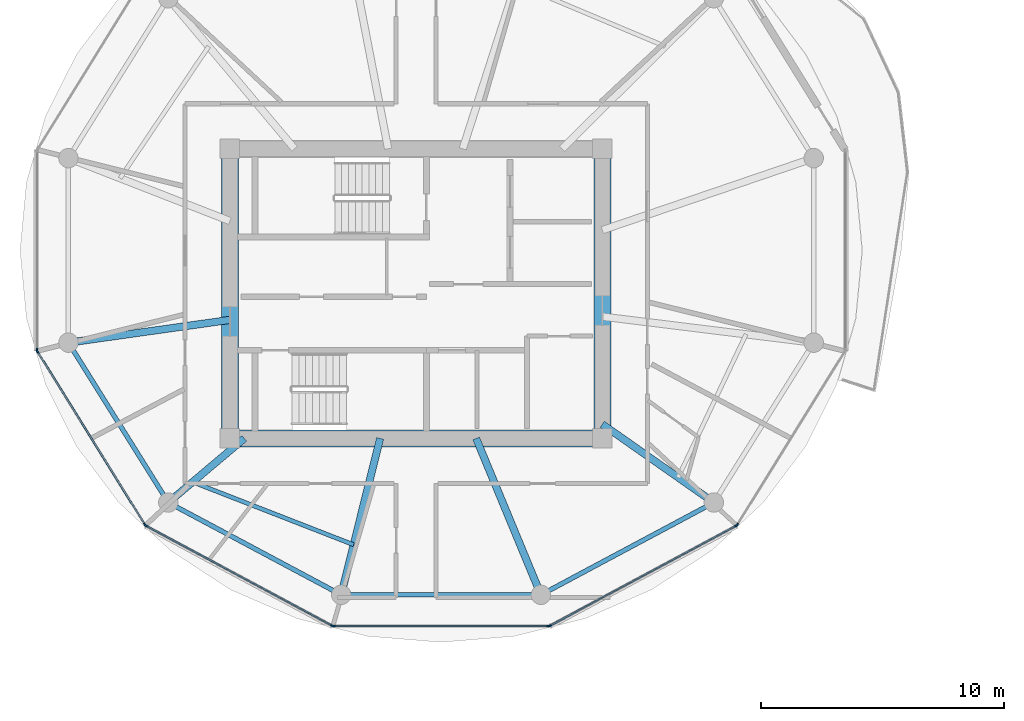
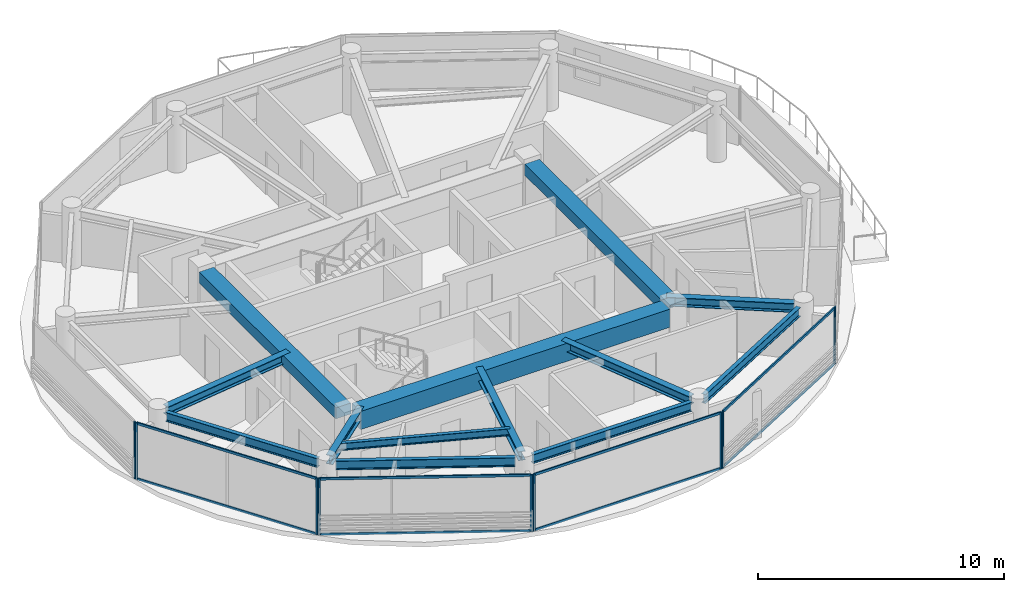
# One storey, part 2 of 21: 18 members, 13 beams, 6 elements without a shape of their own.
"""IFC4 building model written with IfcOpenShell, lengths in metres."""

from ifc_helpers import new_model, si_unit, direction, frame, origin, origin_2d, place, context, subcontext, project, spatial, rectangle, i_section, extrude, source, transform, mapped, material, layer, layer_set, material_profile, profile_set, type_object, type_shapes, element, aggregate, save


model = new_model("IFC4")

# Units and contexts
model_context = context("Model", 3, precision=1e-05, world=origin(), true_north=direction((0.0, 1.0)))
body_context = subcontext(model_context, "Body", "Model", "MODEL_VIEW")
ifc_project = project(units=[si_unit("LENGTHUNIT", "METRE"), si_unit("AREAUNIT", "SQUARE_METRE"), si_unit("VOLUMEUNIT", "CUBIC_METRE"), si_unit("PLANEANGLEUNIT", "RADIAN"), si_unit("MASSUNIT", "GRAM", prefix="KILO")], contexts=[model_context])

# Site, building, storey
site_placement = place(None, origin())
site = spatial("IfcSite", under=ifc_project, at=site_placement, CompositionType="ELEMENT")
building_placement = place(site_placement, origin())
building = spatial("IfcBuilding", under=site, at=building_placement, Name="Norrkilde Senior Care Towers", CompositionType="ELEMENT")
storey_placement = place(building_placement, frame((0.0, 0.0, 140.39990234375)))
storey = spatial("IfcBuildingStorey", under=building, at=storey_placement, Name="L43", CompositionType="ELEMENT", Elevation=140.39990234375)

# Beams
ifc_material_1 = material(Name="Concrete C60/75", Category="concrete")
ifc_material_profile_1 = material_profile(ifc_material_1, rectangle(XDim=0.699951171875, YDim=0.89990234375, at=origin_2d()), Name="RC BM 700x900")
ifc_profile_set_1 = profile_set([ifc_material_profile_1], Name="Concrete C60/75")
beam_type_1 = type_object("IfcBeamType", Name="Core Coupling Girder 700x900", PredefinedType="USERDEFINED", material=ifc_profile_set_1)
shared_shape_1 = source(origin(), body_context, "Body", "SweptSolid", [
    extrude(rectangle(XDim=0.699951171875, YDim=0.89990234375, at=origin_2d()), origin(), (0.0, 0.0, 1.0), 14.5400390625),
])
type_shapes(beam_type_1, [shared_shape_1])
beam_1_placement = place(storey_placement, frame((-35.27001953125, -5.949951171875, 2.360107421875), z_axis=(1.0, 0.0, 0.0), x_axis=(0.0, 1.0, 0.0)))
element("IfcBeam", 1, at=beam_1_placement, inside=storey, type_object=beam_type_1, Name="L43 Core W S Coupling Girder", ObjectType="GIRDER", PredefinedType="USERDEFINED", context=body_context, shape_type="MappedRepresentation", body=[
    mapped(shared_shape_1, transform((0.0, 0.0, 0.0), x_axis=(1.0, 0.0, 0.0), y_axis=(0.0, 1.0, 0.0), z_axis=(0.0, 0.0, 1.0), scale=1.0)),
])
ifc_material_profile_2 = material_profile(ifc_material_1, rectangle(XDim=0.699951171875, YDim=0.550048828125, at=origin_2d()), Name="RC BM 700x550")
ifc_profile_set_2 = profile_set([ifc_material_profile_2], Name="Concrete C60/75")
beam_type_2 = type_object("IfcBeamType", Name="Core Portal Coupling Beam 700x550", PredefinedType="USERDEFINED", material=ifc_profile_set_2)
shared_shape_2 = source(origin(), body_context, "Body", "SweptSolid", [
    extrude(rectangle(XDim=0.699951171875, YDim=0.550048828125, at=origin_2d()), origin(), (0.0, 0.0, 1.0), 11.14013671875),
])
type_shapes(beam_type_2, [shared_shape_2])
for number, where, z_axis, x_axis, name in (
    (2, (-35.64990234375, -5.570068359375, 2.53515625), (0.0, 1.0, 0.0), (-1.0, 0.0, 0.0), "L43 Core W W Coupling Girder"),
    (3, (-20.35009765625, -5.570068359375, 2.53515625), (0.0, 1.0, 0.0), (-1.0, 0.0, 0.0), "L43 Core W E Coupling Girder"),
):
    element("IfcBeam", number, at=place(storey_placement, frame(where, z_axis=z_axis, x_axis=x_axis)), inside=storey, type_object=beam_type_2, Name=name, ObjectType="GIRDER", PredefinedType="USERDEFINED", context=body_context, shape_type="MappedRepresentation", body=[
        mapped(shared_shape_2, transform((0.0, 0.0, 0.0), x_axis=(1.0, 0.0, 0.0), y_axis=(0.0, 1.0, 0.0), z_axis=(0.0, 0.0, 1.0), scale=1.0)),
    ])
ifc_material_2 = material(Name="Steel S355", Category="steel")
ifc_material_profile_3 = material_profile(ifc_material_2, i_section(OverallWidth=0.18994140625, OverallDepth=0.449951171875, WebThickness=0.009521484375, FlangeThickness=0.0146484375, FilletRadius=0.02099609375, at=origin_2d()), Name="IPE 450")
ifc_profile_set_3 = profile_set([ifc_material_profile_3], Name="Steel S355")
beam_type_3 = type_object("IfcBeamType", Name="Perimeter Ring Spandrel Z3 IPE450", PredefinedType="SPANDREL", material=ifc_profile_set_3)
shared_shape_3 = source(origin(), body_context, "Body", "SweptSolid", [
    extrude(i_section(OverallWidth=0.18994140625, OverallDepth=0.449951171875, WebThickness=0.009521484375, FlangeThickness=0.0146484375, FilletRadius=0.02099609375, at=origin_2d()), origin(), (0.0, 0.0, 1.0), 7.484619140625),
])
beam_2_placement = place(storey_placement, frame((-30.71728515625, -12.37548828125, 2.585205078125), z_axis=(1.0, 0.0, 0.0), x_axis=(0.0, 1.0, 0.0)))
element("IfcBeam", 4, at=beam_2_placement, inside=storey, type_object=beam_type_3, Name="L43 Drum W Perimeter Spandrel 09", PredefinedType="SPANDREL", context=body_context, shape_type="MappedRepresentation", body=[
    mapped(shared_shape_3, transform((0.0, 0.0, 0.0), x_axis=(1.0, 0.0, 0.0), y_axis=(0.0, 1.0, 0.0), z_axis=(0.0, 0.0, 1.0), scale=1.0)),
])
shared_shape_4 = source(origin(), body_context, "Body", "SweptSolid", [
    extrude(i_section(OverallWidth=0.18994140625, OverallDepth=0.449951171875, WebThickness=0.009521484375, FlangeThickness=0.0146484375, FilletRadius=0.02099609375, at=origin_2d()), origin(), (0.0, 0.0, 1.0), 7.023193359375),
])
beam_3_placement = place(storey_placement, frame((-42.09423828125, -2.32177734375, 2.585205078125), z_axis=(0.529805197269, -0.848119362441, 0.0), x_axis=(0.848119362441, 0.529805197269, 0.0)))
element("IfcBeam", 5, at=beam_3_placement, inside=storey, type_object=beam_type_3, Name="L43 Drum W Perimeter Spandrel 07", PredefinedType="SPANDREL", context=body_context, shape_type="MappedRepresentation", body=[
    mapped(shared_shape_4, transform((0.0, 0.0, 0.0), x_axis=(1.0, 0.0, 0.0), y_axis=(0.0, 1.0, 0.0), z_axis=(0.0, 0.0, 1.0), scale=1.0)),
])
ifc_material_profile_4 = material_profile(ifc_material_2, i_section(OverallWidth=0.300048828125, OverallDepth=0.449951171875, WebThickness=0.013916015625, FlangeThickness=0.02587890625, FilletRadius=0.027099609375, at=origin_2d()), Name="HEB 450")
ifc_profile_set_4 = profile_set([ifc_material_profile_4], Name="Steel S355")
beam_type_4 = type_object("IfcBeamType", Name="Radial Floor Beam Z3 HEB450", PredefinedType="BEAM", material=ifc_profile_set_4)
shared_shape_5 = source(origin(), body_context, "Body", "SweptSolid", [
    extrude(i_section(OverallWidth=0.300048828125, OverallDepth=0.449951171875, WebThickness=0.013916015625, FlangeThickness=0.02587890625, FilletRadius=0.027099609375, at=origin_2d()), origin(), (0.0, 0.0, 1.0), 6.3408203125),
])
beam_4_placement = place(storey_placement, frame((-35.64990234375, -1.079833984375, 2.585205078125), z_axis=(-0.990184519576, -0.139766294905, 0.0), x_axis=(0.139766294905, -0.990184519576, 0.0)))
element("IfcBeam", 6, at=beam_4_placement, inside=storey, type_object=beam_type_4, Name="L43 Drum W Radial Floor Beam 07", PredefinedType="BEAM", context=body_context, shape_type="MappedRepresentation", body=[
    mapped(shared_shape_5, transform((0.0, 0.0, 0.0), x_axis=(1.0, 0.0, 0.0), y_axis=(0.0, 1.0, 0.0), z_axis=(0.0, 0.0, 1.0), scale=1.0)),
])
shared_shape_6 = source(origin(), body_context, "Body", "SweptSolid", [
    extrude(i_section(OverallWidth=0.18994140625, OverallDepth=0.449951171875, WebThickness=0.009521484375, FlangeThickness=0.0146484375, FilletRadius=0.02099609375, at=origin_2d()), origin(), (0.0, 0.0, 1.0), 7.333984375),
])
type_shapes(beam_type_3, [shared_shape_3, shared_shape_4, shared_shape_6])
for number, where, z_axis, x_axis, name in (
    (7, (-37.864990234375, -8.753173828125, 2.585205078125), (0.882234038987, -0.470811109101, 0.0), (0.470811109101, 0.882234038987, 0.0), "L43 Drum W Perimeter Spandrel 08"),
    (8, (-22.55517578125, -12.2060546875, 2.585205078125), (0.882234038987, 0.470811109101, 0.0), (-0.470811109101, 0.882234038987, 0.0), "L43 Drum W Perimeter Spandrel 10"),
):
    element("IfcBeam", number, at=place(storey_placement, frame(where, z_axis=z_axis, x_axis=x_axis)), inside=storey, type_object=beam_type_3, Name=name, PredefinedType="SPANDREL", context=body_context, shape_type="MappedRepresentation", body=[
        mapped(shared_shape_6, transform((0.0, 0.0, 0.0), x_axis=(1.0, 0.0, 0.0), y_axis=(0.0, 1.0, 0.0), z_axis=(0.0, 0.0, 1.0), scale=1.0)),
    ])
shared_shape_7 = source(origin(), body_context, "Body", "SweptSolid", [
    extrude(i_section(OverallWidth=0.300048828125, OverallDepth=0.449951171875, WebThickness=0.013916015625, FlangeThickness=0.02587890625, FilletRadius=0.027099609375, at=origin_2d()), origin(), (0.0, 0.0, 1.0), 3.7265625),
])
beam_5_placement = place(storey_placement, frame((-35.058349609375, -5.949951171875, 2.585205078125), z_axis=(-0.764567902106, -0.644543189453, 0.0), x_axis=(0.644543189453, -0.764567902106, 0.0)))
element("IfcBeam", 9, at=beam_5_placement, inside=storey, type_object=beam_type_4, Name="L43 Drum W Radial Floor Beam 08", PredefinedType="BEAM", context=body_context, shape_type="MappedRepresentation", body=[
    mapped(shared_shape_7, transform((0.0, 0.0, 0.0), x_axis=(1.0, 0.0, 0.0), y_axis=(0.0, 1.0, 0.0), z_axis=(0.0, 0.0, 1.0), scale=1.0)),
])
shared_shape_8 = source(origin(), body_context, "Body", "SweptSolid", [
    extrude(i_section(OverallWidth=0.300048828125, OverallDepth=0.449951171875, WebThickness=0.013916015625, FlangeThickness=0.02587890625, FilletRadius=0.027099609375, at=origin_2d()), origin(), (0.0, 0.0, 1.0), 6.26123046875),
])
beam_6_placement = place(storey_placement, frame((-29.4794921875, -5.949951171875, 2.585205078125), z_axis=(-0.241324375921, -0.970444509277, 0.0), x_axis=(0.970444509277, -0.241324375921, 0.0)))
element("IfcBeam", 10, at=beam_6_placement, inside=storey, type_object=beam_type_4, Name="L43 Drum W Radial Floor Beam 09", PredefinedType="BEAM", context=body_context, shape_type="MappedRepresentation", body=[
    mapped(shared_shape_8, transform((0.0, 0.0, 0.0), x_axis=(1.0, 0.0, 0.0), y_axis=(0.0, 1.0, 0.0), z_axis=(0.0, 0.0, 1.0), scale=1.0)),
])
shared_shape_9 = source(origin(), body_context, "Body", "SweptSolid", [
    extrude(i_section(OverallWidth=0.300048828125, OverallDepth=0.449951171875, WebThickness=0.013916015625, FlangeThickness=0.02587890625, FilletRadius=0.027099609375, at=origin_2d()), origin(), (0.0, 0.0, 1.0), 6.59521484375),
])
beam_7_placement = place(storey_placement, frame((-25.534912109375, -5.949951171875, 2.585205078125), z_axis=(0.382761541363, -0.923847174836, 0.0), x_axis=(0.923847174836, 0.382761541363, 0.0)))
element("IfcBeam", 11, at=beam_7_placement, inside=storey, type_object=beam_type_4, Name="L43 Drum W Radial Floor Beam 10", PredefinedType="BEAM", context=body_context, shape_type="MappedRepresentation", body=[
    mapped(shared_shape_9, transform((0.0, 0.0, 0.0), x_axis=(1.0, 0.0, 0.0), y_axis=(0.0, 1.0, 0.0), z_axis=(0.0, 0.0, 1.0), scale=1.0)),
])
shared_shape_10 = source(origin(), body_context, "Body", "SweptSolid", [
    extrude(i_section(OverallWidth=0.300048828125, OverallDepth=0.449951171875, WebThickness=0.013916015625, FlangeThickness=0.02587890625, FilletRadius=0.027099609375, at=origin_2d()), origin(), (0.0, 0.0, 1.0), 5.23828125),
])
type_shapes(beam_type_4, [shared_shape_5, shared_shape_7, shared_shape_8, shared_shape_9, shared_shape_10])
beam_8_placement = place(storey_placement, frame((-20.35009765625, -5.3681640625, 2.585205078125), z_axis=(0.818592061291, -0.574375345215, 0.0), x_axis=(0.574375345215, 0.818592061291, 0.0)))
element("IfcBeam", 12, at=beam_8_placement, inside=storey, type_object=beam_type_4, Name="L43 Drum W Radial Floor Beam 11", PredefinedType="BEAM", context=body_context, shape_type="MappedRepresentation", body=[
    mapped(shared_shape_10, transform((0.0, 0.0, 0.0), x_axis=(1.0, 0.0, 0.0), y_axis=(0.0, 1.0, 0.0), z_axis=(0.0, 0.0, 1.0), scale=1.0)),
])
ifc_material_profile_5 = material_profile(ifc_material_2, i_section(OverallWidth=0.169921875, OverallDepth=0.360107421875, WebThickness=0.008056640625, FlangeThickness=0.0126953125, FilletRadius=0.01806640625, at=origin_2d()), Name="IPE 360")
ifc_profile_set_5 = profile_set([ifc_material_profile_5], Name="Steel S355")
beam_type_5 = type_object("IfcBeamType", Name="Secondary Floor Joist IPE360", PredefinedType="JOIST", material=ifc_profile_set_5)
shared_shape_11 = source(origin(), body_context, "Body", "SweptSolid", [
    extrude(i_section(OverallWidth=0.169921875, OverallDepth=0.360107421875, WebThickness=0.008056640625, FlangeThickness=0.0126953125, FilletRadius=0.01806640625, at=origin_2d()), origin(), (0.0, 0.0, 1.0), 7.1015625),
])
type_shapes(beam_type_5, [shared_shape_11])
beam_9_placement = place(storey_placement, frame((-37.182861328125, -7.740966796875, 2.630126953125), z_axis=(0.931761231292, -0.363071629106, 0.0), x_axis=(0.363071629106, 0.931761231292, 0.0)))
element("IfcBeam", 13, at=beam_9_placement, inside=storey, type_object=beam_type_5, Name="L43 Drum W Secondary Floor Joist 3", PredefinedType="JOIST", context=body_context, shape_type="MappedRepresentation", body=[
    mapped(shared_shape_11, transform((0.0, 0.0, 0.0), x_axis=(1.0, 0.0, 0.0), y_axis=(0.0, 1.0, 0.0), z_axis=(0.0, 0.0, 1.0), scale=1.0)),
])

# Curtain wall, member
ifc_material_3 = material(Name="Triple Low-E Insulated Glazing", Category="glass")
ifc_layer = layer(ifc_material_3, 0.18994140625)
ifc_layer_set = layer_set([ifc_layer], Name="Triple Low-E Insulated Glazing")
curtain_wall_type = type_object("IfcCurtainWallType", Name="CW4 Zone 3 Senior Residence Curtain Wall", PredefinedType="NOTDEFINED", material=ifc_layer_set)
curtain_wall_1_placement = place(storey_placement, origin())
curtain_wall_1 = element("IfcCurtainWall", 14, at=curtain_wall_1_placement, inside=storey, type_object=curtain_wall_type, Name="L43 Drum W Curtain Wall 05", PredefinedType="NOTDEFINED")
ifc_material_4 = material(Name="Anodised Aluminium", Category="aluminium")
ifc_material_profile_6 = material_profile(ifc_material_4, rectangle(XDim=0.06494140625, YDim=0.14990234375, at=origin_2d()), Name="ALU MULL 65x150")
ifc_profile_set_6 = profile_set([ifc_material_profile_6], Name="Anodised Aluminium")
member_type_1 = type_object("IfcMemberType", Name="Curtain Wall Mullion Z3-Z4 65x150", PredefinedType="MULLION", material=ifc_profile_set_6)
shared_shape_12 = source(origin(), body_context, "Body", "SweptSolid", [
    extrude(rectangle(XDim=0.06494140625, YDim=0.14990234375, at=origin_2d()), origin(), (0.0, 0.0, 1.0), 2.81005859375),
])
type_shapes(member_type_1, [shared_shape_12])
member_1_placement = place(storey_placement, frame((-43.569580078125, -2.328125, 0.0), z_axis=(0.0, 0.0, 1.0), x_axis=(-1.0, 0.0, 0.0)))
member_1 = element("IfcMember", 15, at=member_1_placement, type_object=member_type_1, Name="CW-4 mullion 1", PredefinedType="MULLION", context=body_context, shape_type="MappedRepresentation", body=[
    mapped(shared_shape_12, transform((0.0, 0.0, 0.0), x_axis=(1.0, 0.0, 0.0), y_axis=(0.0, 1.0, 0.0), z_axis=(0.0, 0.0, 1.0), scale=1.0)),
])
aggregate(curtain_wall_1, [member_1])

# Curtain wall, members
curtain_wall_2_placement = place(storey_placement, origin())
curtain_wall_2 = element("IfcCurtainWall", 16, at=curtain_wall_2_placement, inside=storey, type_object=curtain_wall_type, Name="L43 Drum W Curtain Wall 06", PredefinedType="NOTDEFINED")
member_2_placement = place(storey_placement, frame((-39.14013671875, -9.49658203125, 0.0), z_axis=(0.0, 0.0, 1.0), x_axis=(-0.84963405474, -0.52737270789, 0.0)))
member_2 = element("IfcMember", 17, at=member_2_placement, type_object=member_type_1, Name="CW-4 mullion 1", PredefinedType="MULLION", context=body_context, shape_type="MappedRepresentation", body=[
    mapped(shared_shape_12, transform((0.0, 0.0, 0.0), x_axis=(1.0, 0.0, 0.0), y_axis=(0.0, 1.0, 0.0), z_axis=(0.0, 0.0, 1.0), scale=1.0)),
])
member_3_placement = place(storey_placement, frame((-43.552490234375, -2.38818359375, 0.0), z_axis=(0.0, 0.0, 1.0), x_axis=(-0.84963405474, -0.52737270789, 0.0)))
member_3 = element("IfcMember", 18, at=member_3_placement, type_object=member_type_1, Name="CW-4 mullion 2", PredefinedType="MULLION", context=body_context, shape_type="MappedRepresentation", body=[
    mapped(shared_shape_12, transform((0.0, 0.0, 0.0), x_axis=(1.0, 0.0, 0.0), y_axis=(0.0, 1.0, 0.0), z_axis=(0.0, 0.0, 1.0), scale=1.0)),
])

curtain_wall_3_placement = place(storey_placement, origin())
curtain_wall_3 = element("IfcCurtainWall", 19, at=curtain_wall_3_placement, inside=storey, type_object=curtain_wall_type, Name="L43 Drum W Curtain Wall 07", PredefinedType="NOTDEFINED")
member_4_placement = place(storey_placement, frame((-31.4501953125, -13.644775390625, 0.0), z_axis=(0.0, 0.0, 1.0), x_axis=(-0.47311715104, -0.880999524059, 0.0)))
member_4 = element("IfcMember", 20, at=member_4_placement, type_object=member_type_1, Name="CW-4 mullion 1", PredefinedType="MULLION", context=body_context, shape_type="MappedRepresentation", body=[
    mapped(shared_shape_12, transform((0.0, 0.0, 0.0), x_axis=(1.0, 0.0, 0.0), y_axis=(0.0, 1.0, 0.0), z_axis=(0.0, 0.0, 1.0), scale=1.0)),
])
member_5_placement = place(storey_placement, frame((-39.094482421875, -9.53955078125, 0.0), z_axis=(0.0, 0.0, 1.0), x_axis=(-0.47311715104, -0.880999524059, 0.0)))
member_5 = element("IfcMember", 21, at=member_5_placement, type_object=member_type_1, Name="CW-4 mullion 2", PredefinedType="MULLION", context=body_context, shape_type="MappedRepresentation", body=[
    mapped(shared_shape_12, transform((0.0, 0.0, 0.0), x_axis=(1.0, 0.0, 0.0), y_axis=(0.0, 1.0, 0.0), z_axis=(0.0, 0.0, 1.0), scale=1.0)),
])

curtain_wall_4_placement = place(storey_placement, origin())
curtain_wall_4 = element("IfcCurtainWall", 22, at=curtain_wall_4_placement, inside=storey, type_object=curtain_wall_type, Name="L43 Drum W Curtain Wall 08", PredefinedType="NOTDEFINED")
member_6_placement = place(storey_placement, frame((-22.56103515625, -13.66015625, 0.0), z_axis=(0.0, 0.0, 1.0), x_axis=(0.0, -1.0, 0.0)))
member_6 = element("IfcMember", 23, at=member_6_placement, type_object=member_type_1, Name="CW-4 mullion 1", PredefinedType="MULLION", context=body_context, shape_type="MappedRepresentation", body=[
    mapped(shared_shape_12, transform((0.0, 0.0, 0.0), x_axis=(1.0, 0.0, 0.0), y_axis=(0.0, 1.0, 0.0), z_axis=(0.0, 0.0, 1.0), scale=1.0)),
])
member_7_placement = place(storey_placement, frame((-31.388916015625, -13.66015625, 0.0), z_axis=(0.0, 0.0, 1.0), x_axis=(0.0, -1.0, 0.0)))
member_7 = element("IfcMember", 24, at=member_7_placement, type_object=member_type_1, Name="CW-4 mullion 2", PredefinedType="MULLION", context=body_context, shape_type="MappedRepresentation", body=[
    mapped(shared_shape_12, transform((0.0, 0.0, 0.0), x_axis=(1.0, 0.0, 0.0), y_axis=(0.0, 1.0, 0.0), z_axis=(0.0, 0.0, 1.0), scale=1.0)),
])

curtain_wall_5_placement = place(storey_placement, origin())
curtain_wall_5 = element("IfcCurtainWall", 25, at=curtain_wall_5_placement, inside=storey, type_object=curtain_wall_type, Name="L43 Drum W Curtain Wall 09", PredefinedType="NOTDEFINED")
member_8_placement = place(storey_placement, frame((-14.85546875, -9.53955078125, 0.0), z_axis=(0.0, 0.0, 1.0), x_axis=(0.47311715104, -0.880999524059, 0.0)))
member_8 = element("IfcMember", 26, at=member_8_placement, type_object=member_type_1, Name="CW-4 mullion 1", PredefinedType="MULLION", context=body_context, shape_type="MappedRepresentation", body=[
    mapped(shared_shape_12, transform((0.0, 0.0, 0.0), x_axis=(1.0, 0.0, 0.0), y_axis=(0.0, 1.0, 0.0), z_axis=(0.0, 0.0, 1.0), scale=1.0)),
])
member_9_placement = place(storey_placement, frame((-22.499755859375, -13.644775390625, 0.0), z_axis=(0.0, 0.0, 1.0), x_axis=(0.47311715104, -0.880999524059, 0.0)))
member_9 = element("IfcMember", 27, at=member_9_placement, type_object=member_type_1, Name="CW-4 mullion 2", PredefinedType="MULLION", context=body_context, shape_type="MappedRepresentation", body=[
    mapped(shared_shape_12, transform((0.0, 0.0, 0.0), x_axis=(1.0, 0.0, 0.0), y_axis=(0.0, 1.0, 0.0), z_axis=(0.0, 0.0, 1.0), scale=1.0)),
])

# Curtain wall, member
curtain_wall_6_placement = place(storey_placement, origin())
curtain_wall_6 = element("IfcCurtainWall", 28, at=curtain_wall_6_placement, inside=storey, type_object=curtain_wall_type, Name="L43 Drum W Curtain Wall 10", PredefinedType="NOTDEFINED")
member_10_placement = place(storey_placement, frame((-14.809814453125, -9.49658203125, 0.0), z_axis=(0.0, 0.0, 1.0), x_axis=(0.84963405474, -0.52737270789, 0.0)))
member_10 = element("IfcMember", 29, at=member_10_placement, type_object=member_type_1, Name="CW-4 mullion 2", PredefinedType="MULLION", context=body_context, shape_type="MappedRepresentation", body=[
    mapped(shared_shape_12, transform((0.0, 0.0, 0.0), x_axis=(1.0, 0.0, 0.0), y_axis=(0.0, 1.0, 0.0), z_axis=(0.0, 0.0, 1.0), scale=1.0)),
])
aggregate(curtain_wall_6, [member_10])

# Member
ifc_material_profile_7 = material_profile(ifc_material_4, rectangle(XDim=0.06005859375, YDim=0.1201171875, at=origin_2d()), Name="ALU TRAN 60x120")
ifc_profile_set_7 = profile_set([ifc_material_profile_7], Name="Anodised Aluminium")
member_type_2 = type_object("IfcMemberType", Name="Curtain Wall Transom Typical 60x120", PredefinedType="USERDEFINED", material=ifc_profile_set_7)
shared_shape_13 = source(origin(), body_context, "Body", "SweptSolid", [
    extrude(rectangle(XDim=0.06005859375, YDim=0.1201171875, at=origin_2d()), origin(), (0.0, 0.0, 1.0), 8.301513671875),
])
member_11_placement = place(storey_placement, frame((-39.157470703125, -9.468994140625, 0.030029296875), z_axis=(-0.527368718394, 0.849636531029, 0.0), x_axis=(-0.849636531029, -0.527368718394, 0.0)))
member_11 = element("IfcMember", 30, at=member_11_placement, type_object=member_type_2, Name="CW-4 transom 1.1", ObjectType="TRANSOM", PredefinedType="USERDEFINED", context=body_context, shape_type="MappedRepresentation", body=[
    mapped(shared_shape_13, transform((0.0, 0.0, 0.0), x_axis=(1.0, 0.0, 0.0), y_axis=(0.0, 1.0, 0.0), z_axis=(0.0, 0.0, 1.0), scale=1.0)),
])

member_12_placement = place(storey_placement, frame((-39.157470703125, -9.468994140625, 2.780029296875), z_axis=(-0.527368718394, 0.849636531029, 0.0), x_axis=(-0.849636531029, -0.527368718394, 0.0)))
member_12 = element("IfcMember", 31, at=member_12_placement, type_object=member_type_2, Name="CW-4 transom 1.2", ObjectType="TRANSOM", PredefinedType="USERDEFINED", context=body_context, shape_type="MappedRepresentation", body=[
    mapped(shared_shape_13, transform((0.0, 0.0, 0.0), x_axis=(1.0, 0.0, 0.0), y_axis=(0.0, 1.0, 0.0), z_axis=(0.0, 0.0, 1.0), scale=1.0)),
])

aggregate(curtain_wall_2, [member_2, member_3, member_11, member_12])

shared_shape_14 = source(origin(), body_context, "Body", "SweptSolid", [
    extrude(rectangle(XDim=0.06005859375, YDim=0.1201171875, at=origin_2d()), origin(), (0.0, 0.0, 1.0), 8.61181640625),
])
member_13_placement = place(storey_placement, frame((-14.88427734375, -9.554931640625, 0.030029296875), z_axis=(-0.880993991641, -0.473127452906, 0.0), x_axis=(0.473127452906, -0.880993991641, 0.0)))
member_13 = element("IfcMember", 32, at=member_13_placement, type_object=member_type_2, Name="CW-4 transom 1.1", ObjectType="TRANSOM", PredefinedType="USERDEFINED", context=body_context, shape_type="MappedRepresentation", body=[
    mapped(shared_shape_14, transform((0.0, 0.0, 0.0), x_axis=(1.0, 0.0, 0.0), y_axis=(0.0, 1.0, 0.0), z_axis=(0.0, 0.0, 1.0), scale=1.0)),
])

member_14_placement = place(storey_placement, frame((-14.88427734375, -9.554931640625, 2.780029296875), z_axis=(-0.880993991641, -0.473127452906, 0.0), x_axis=(0.473127452906, -0.880993991641, 0.0)))
member_14 = element("IfcMember", 33, at=member_14_placement, type_object=member_type_2, Name="CW-4 transom 1.2", ObjectType="TRANSOM", PredefinedType="USERDEFINED", context=body_context, shape_type="MappedRepresentation", body=[
    mapped(shared_shape_14, transform((0.0, 0.0, 0.0), x_axis=(1.0, 0.0, 0.0), y_axis=(0.0, 1.0, 0.0), z_axis=(0.0, 0.0, 1.0), scale=1.0)),
])

aggregate(curtain_wall_5, [member_8, member_9, member_13, member_14])

shared_shape_15 = source(origin(), body_context, "Body", "SweptSolid", [
    extrude(rectangle(XDim=0.06005859375, YDim=0.1201171875, at=origin_2d()), origin(), (0.0, 0.0, 1.0), 8.762939453125),
])
member_15_placement = place(storey_placement, frame((-22.593505859375, -13.66015625, 0.030029296875), z_axis=(-1.0, 0.0, 0.0), x_axis=(0.0, -1.0, 0.0)))
member_15 = element("IfcMember", 34, at=member_15_placement, type_object=member_type_2, Name="CW-4 transom 1.1", ObjectType="TRANSOM", PredefinedType="USERDEFINED", context=body_context, shape_type="MappedRepresentation", body=[
    mapped(shared_shape_15, transform((0.0, 0.0, 0.0), x_axis=(1.0, 0.0, 0.0), y_axis=(0.0, 1.0, 0.0), z_axis=(0.0, 0.0, 1.0), scale=1.0)),
])

member_16_placement = place(storey_placement, frame((-22.593505859375, -13.66015625, 2.780029296875), z_axis=(-1.0, 0.0, 0.0), x_axis=(0.0, -1.0, 0.0)))
member_16 = element("IfcMember", 35, at=member_16_placement, type_object=member_type_2, Name="CW-4 transom 1.2", ObjectType="TRANSOM", PredefinedType="USERDEFINED", context=body_context, shape_type="MappedRepresentation", body=[
    mapped(shared_shape_15, transform((0.0, 0.0, 0.0), x_axis=(1.0, 0.0, 0.0), y_axis=(0.0, 1.0, 0.0), z_axis=(0.0, 0.0, 1.0), scale=1.0)),
])

aggregate(curtain_wall_4, [member_6, member_7, member_15, member_16])

shared_shape_16 = source(origin(), body_context, "Body", "SweptSolid", [
    extrude(rectangle(XDim=0.06005859375, YDim=0.1201171875, at=origin_2d()), origin(), (0.0, 0.0, 1.0), 8.612060546875),
])
type_shapes(member_type_2, [shared_shape_13, shared_shape_14, shared_shape_15, shared_shape_16])
member_17_placement = place(storey_placement, frame((-31.478759765625, -13.62939453125, 0.030029296875), z_axis=(-0.881000337462, 0.473115636384, 0.0), x_axis=(-0.473115636384, -0.881000337462, 0.0)))
member_17 = element("IfcMember", 36, at=member_17_placement, type_object=member_type_2, Name="CW-4 transom 1.1", ObjectType="TRANSOM", PredefinedType="USERDEFINED", context=body_context, shape_type="MappedRepresentation", body=[
    mapped(shared_shape_16, transform((0.0, 0.0, 0.0), x_axis=(1.0, 0.0, 0.0), y_axis=(0.0, 1.0, 0.0), z_axis=(0.0, 0.0, 1.0), scale=1.0)),
])

member_18_placement = place(storey_placement, frame((-31.478759765625, -13.62939453125, 2.780029296875), z_axis=(-0.881000337462, 0.473115636384, 0.0), x_axis=(-0.473115636384, -0.881000337462, 0.0)))
member_18 = element("IfcMember", 37, at=member_18_placement, type_object=member_type_2, Name="CW-4 transom 1.2", ObjectType="TRANSOM", PredefinedType="USERDEFINED", context=body_context, shape_type="MappedRepresentation", body=[
    mapped(shared_shape_16, transform((0.0, 0.0, 0.0), x_axis=(1.0, 0.0, 0.0), y_axis=(0.0, 1.0, 0.0), z_axis=(0.0, 0.0, 1.0), scale=1.0)),
])

aggregate(curtain_wall_3, [member_4, member_5, member_17, member_18])

save(model, "model.ifc")
